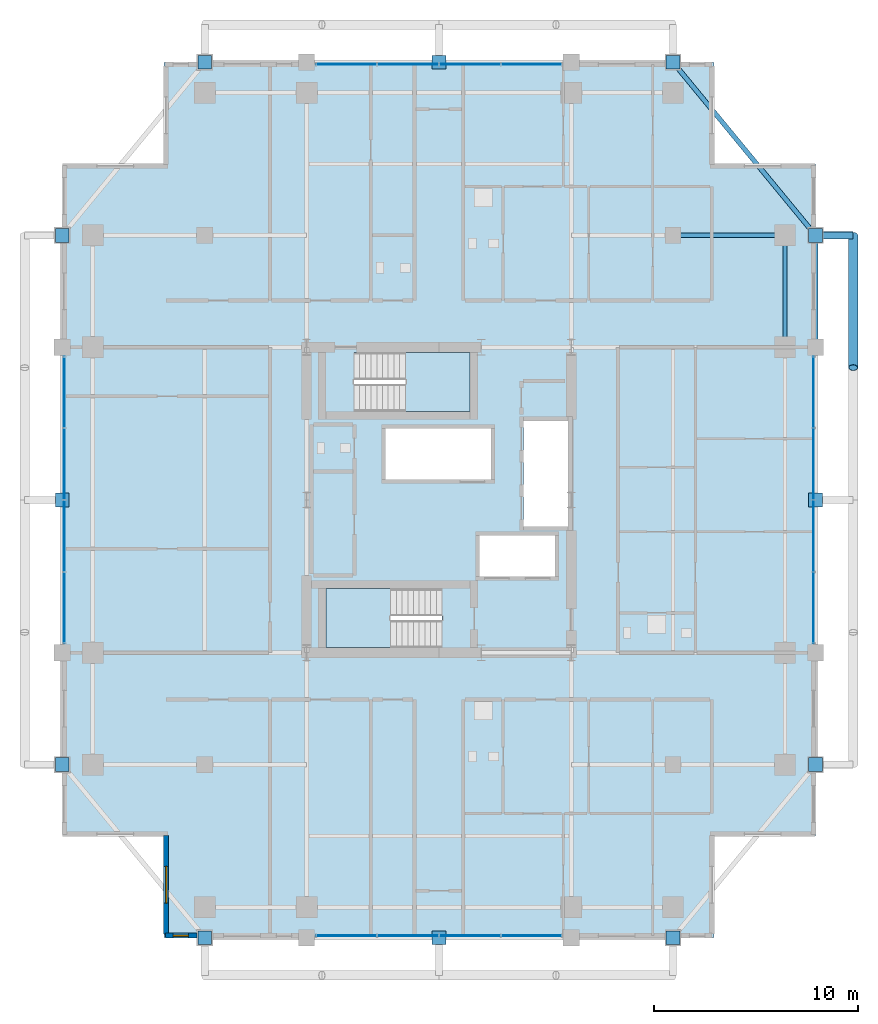
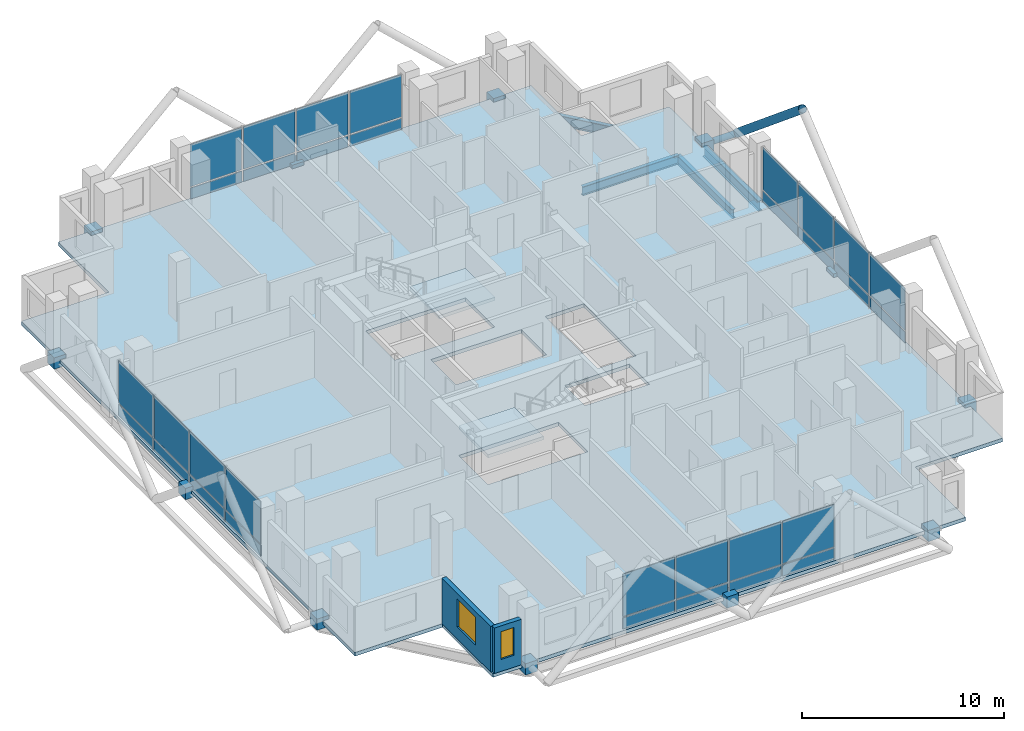
# One storey, part 19 of 26: 44 plates, 4 beams, 3 slabs, 2 members, 2 walls, 2 windows, 2 openings, 6 elements without a shape of their own.
"""IFC4 building model written with IfcOpenShell, lengths in metres."""

from ifc_helpers import new_model, si_unit, direction, frame, frame_2d, origin, origin_2d, place, context, subcontext, project, spatial, polyline, rectangle, hollow_circle, i_section, outline, extrude, material, layer, layer_set, material_profile, profile_set, type_object, element, fill, aggregate, save


model = new_model("IFC4")

# Units and contexts
model_context = context("Model", 3, precision=1e-05, world=origin(), true_north=direction((0.0, 1.0)))
body_context = subcontext(model_context, "Body", "Model", "MODEL_VIEW")
ifc_project = project(units=[si_unit("LENGTHUNIT", "METRE"), si_unit("AREAUNIT", "SQUARE_METRE"), si_unit("VOLUMEUNIT", "CUBIC_METRE"), si_unit("PLANEANGLEUNIT", "RADIAN"), si_unit("MASSUNIT", "GRAM", prefix="KILO")], contexts=[model_context])

# Site, building, storey
site_placement = place(None, origin())
site = spatial("IfcSite", under=ifc_project, at=site_placement, CompositionType="ELEMENT")
building_placement = place(site_placement, origin())
building = spatial("IfcBuilding", under=site, at=building_placement, Name="Barlavira Tower and Art Museum", CompositionType="ELEMENT")
storey_placement = place(building_placement, frame((0.0, 0.0, 176.39990234375)))
storey = spatial("IfcBuildingStorey", under=building, at=storey_placement, Name="L45", CompositionType="ELEMENT", Elevation=176.39990234375)

# Members
ifc_material_1 = material(Name="Steel S355", Category="steel")
ifc_material_profile_1 = material_profile(ifc_material_1, hollow_circle(Radius=0.228515625, WallThickness=0.02001953125, at=origin_2d()), Name="CHS 457.0x20.0")
ifc_profile_set_1 = profile_set([ifc_material_profile_1], Name="Steel S355")
member_type_1 = type_object("IfcMemberType", Name="Pale-Metal Exoskeleton Diagrid Tube CHS 457x20 Steel S355", PredefinedType="BRACE", material=ifc_profile_set_1)
member_1_placement = place(storey_placement, frame((20.35009765625, 13.0, -0.119873046875), z_axis=(0.0, -0.769196053329, 0.639012857104), x_axis=(1.0, 0.0, 0.0)))
element("IfcMember", 1, at=member_1_placement, inside=storey, type_object=member_type_1, Name="L45 Exoskeleton Diagrid Tube E", PredefinedType="BRACE", context=body_context, shape_type="SweptSolid", body=[
    extrude(hollow_circle(Radius=0.228515625, WallThickness=0.02001953125, at=origin_2d()), origin(), (0.0, 0.0, 1.0), 8.450439453125),
])
ifc_material_profile_2 = material_profile(ifc_material_1, hollow_circle(Radius=0.177734375, WallThickness=0.01611328125, at=origin_2d()), Name="CHS 355.6x16.0")
ifc_profile_set_2 = profile_set([ifc_material_profile_2], Name="Steel S355")
member_type_2 = type_object("IfcMemberType", Name="Pale-Metal Exoskeleton Tie Strut CHS 356x16 Steel S355", PredefinedType="STRUT", material=ifc_profile_set_2)
member_2_placement = place(storey_placement, frame((20.35009765625, 13.0, -0.119873046875), z_axis=(-1.0, 0.0, 0.0), x_axis=(0.0, -1.0, 0.0)))
element("IfcMember", 2, at=member_2_placement, inside=storey, type_object=member_type_2, Name="L45 Exoskeleton Tie Strut E3", PredefinedType="STRUT", context=body_context, shape_type="SweptSolid", body=[
    extrude(hollow_circle(Radius=0.177734375, WallThickness=0.01611328125, at=origin_2d()), origin(), (0.0, 0.0, 1.0), 1.85009765625),
])

# Beams
ifc_material_profile_3 = material_profile(ifc_material_1, i_section(OverallWidth=0.22998046875, OverallDepth=0.616943359375, WebThickness=0.01318359375, FlangeThickness=0.022216796875, at=origin_2d()), Name="W610x140.0")
ifc_profile_set_3 = profile_set([ifc_material_profile_3], Name="Steel S355")
beam_type_1 = type_object("IfcBeamType", Name="Upper Shaft Spandrel Edge Beam W610x140 Steel S355", PredefinedType="SPANDREL", material=ifc_profile_set_3)
beam_1_placement = place(storey_placement, frame((18.5, 7.5, -0.5283203125), z_axis=(0.0, 1.0, 0.0), x_axis=(-1.0, 0.0, 0.0)))
element("IfcBeam", 3, at=beam_1_placement, inside=storey, type_object=beam_type_1, Name="L45 Spandrel 7", PredefinedType="SPANDREL", context=body_context, shape_type="SweptSolid", body=[
    extrude(i_section(OverallWidth=0.22998046875, OverallDepth=0.616943359375, WebThickness=0.01318359375, FlangeThickness=0.022216796875, at=origin_2d()), origin(), (0.0, 0.0, 1.0), 5.5),
])
beam_2_placement = place(storey_placement, frame((18.5, 13.0, -0.5283203125), z_axis=(-0.635707252861, 0.771930235617, 0.0), x_axis=(-0.771930235617, -0.635707252861, 0.0)))
element("IfcBeam", 4, at=beam_2_placement, inside=storey, type_object=beam_type_1, Name="L45 Spandrel 8", PredefinedType="SPANDREL", context=body_context, shape_type="SweptSolid", body=[
    extrude(i_section(OverallWidth=0.22998046875, OverallDepth=0.616943359375, WebThickness=0.01318359375, FlangeThickness=0.022216796875, at=origin_2d()), origin(), (0.0, 0.0, 1.0), 11.011474609375),
])
ifc_material_profile_4 = material_profile(ifc_material_1, i_section(OverallWidth=0.2109375, OverallDepth=0.5390625, WebThickness=0.01171875, FlangeThickness=0.018798828125, at=origin_2d()), Name="W530x109.0")
ifc_profile_set_4 = profile_set([ifc_material_profile_4], Name="Steel S355")
beam_type_2 = type_object("IfcBeamType", Name="Zone 3-4 Primary Floor Girder W530x109 Steel S355", PredefinedType="BEAM", material=ifc_profile_set_4)
for number, where, z_axis, x_axis, name in (
    (5, (17.0, 7.5, -0.489501953125), (0.0, 1.0, 0.0), (-1.0, 0.0, 0.0), "L45 Girder M-E3"),
    (6, (11.5, 13.0, -0.489501953125), (1.0, 0.0, 0.0), (0.0, 1.0, 0.0), "L45 Girder I-N4"),
):
    element("IfcBeam", number, at=place(storey_placement, frame(where, z_axis=z_axis, x_axis=x_axis)), inside=storey, type_object=beam_type_2, Name=name, PredefinedType="BEAM", context=body_context, shape_type="SweptSolid", body=[
        extrude(i_section(OverallWidth=0.2109375, OverallDepth=0.5390625, WebThickness=0.01171875, FlangeThickness=0.018798828125, at=origin_2d()), origin(), (0.0, 0.0, 1.0), 5.5),
    ])

# Curtain wall, plates
ifc_material_2 = material(Name="Low-iron coastal laminated glass", Category="glass")
ifc_layer_1 = layer(ifc_material_2, 0.199951171875, Name="Low-iron coastal laminated glass")
ifc_layer_set_1 = layer_set([ifc_layer_1], Name="Low-iron coastal laminated glass")
curtain_wall_type = type_object("IfcCurtainWallType", Name="Pale-Metal Unitised Curtain Wall Zone 3", PredefinedType="NOTDEFINED", material=ifc_layer_set_1)
curtain_wall_1_placement = place(storey_placement, origin())
curtain_wall_1 = element("IfcCurtainWall", 7, at=curtain_wall_1_placement, inside=storey, type_object=curtain_wall_type, Name="L45 Curtain Wall CW3-L45-S-B3", PredefinedType="NOTDEFINED")
ifc_material_3 = material(Name="Pale anodised aluminium", Category="aluminium")
ifc_layer_2 = layer(ifc_material_3, 0.044921875, Name="Pale anodised aluminium")
ifc_layer_set_2 = layer_set([ifc_layer_2], Name="Pale anodised aluminium")
plate_type_1 = type_object("IfcPlateType", Name="Curtain Wall Pale-Metal Spandrel Panel 45", PredefinedType="CURTAIN_PANEL", material=ifc_layer_set_2)
plate_1_placement = place(storey_placement, frame((-4.56005859375, -21.39990234375, 0.0400390625), z_axis=(0.0, 0.0, 1.0), x_axis=(1.0, 0.0, 0.0)))
plate_1 = element("IfcPlate", 8, at=plate_1_placement, type_object=plate_type_1, Name="CW3-L45-S-B3 Spandrel Panel 0", PredefinedType="CURTAIN_PANEL", context=body_context, shape_type="SweptSolid", body=[
    extrude(rectangle(XDim=2.93994140625, YDim=0.044921875, at=origin_2d()), origin(), (0.0, 0.0, 1.0), 0.6640625),
])
plate_2_placement = place(storey_placement, frame((-1.52001953125, -21.39990234375, 0.0400390625), z_axis=(0.0, 0.0, 1.0), x_axis=(1.0, 0.0, 0.0)))
plate_2 = element("IfcPlate", 9, at=plate_2_placement, type_object=plate_type_1, Name="CW3-L45-S-B3 Spandrel Panel 1", PredefinedType="CURTAIN_PANEL", context=body_context, shape_type="SweptSolid", body=[
    extrude(rectangle(XDim=2.93994140625, YDim=0.044921875, at=origin_2d()), origin(), (0.0, 0.0, 1.0), 0.6640625),
])
plate_3_placement = place(storey_placement, frame((1.52001953125, -21.39990234375, 0.0400390625), z_axis=(0.0, 0.0, 1.0), x_axis=(1.0, 0.0, 0.0)))
plate_3 = element("IfcPlate", 10, at=plate_3_placement, type_object=plate_type_1, Name="CW3-L45-S-B3 Spandrel Panel 2", PredefinedType="CURTAIN_PANEL", context=body_context, shape_type="SweptSolid", body=[
    extrude(rectangle(XDim=2.93994140625, YDim=0.044921875, at=origin_2d()), origin(), (0.0, 0.0, 1.0), 0.6640625),
])
plate_4_placement = place(storey_placement, frame((4.56005859375, -21.39990234375, 0.0400390625), z_axis=(0.0, 0.0, 1.0), x_axis=(1.0, 0.0, 0.0)))
plate_4 = element("IfcPlate", 11, at=plate_4_placement, type_object=plate_type_1, Name="CW3-L45-S-B3 Spandrel Panel 3", PredefinedType="CURTAIN_PANEL", context=body_context, shape_type="SweptSolid", body=[
    extrude(rectangle(XDim=2.93994140625, YDim=0.044921875, at=origin_2d()), origin(), (0.0, 0.0, 1.0), 0.6640625),
])

curtain_wall_2_placement = place(storey_placement, origin())
curtain_wall_2 = element("IfcCurtainWall", 12, at=curtain_wall_2_placement, inside=storey, type_object=curtain_wall_type, Name="L45 Curtain Wall CW3-L45-N-B3", PredefinedType="NOTDEFINED")
plate_5_placement = place(storey_placement, frame((4.56005859375, 21.39990234375, 0.0400390625), z_axis=(0.0, 0.0, 1.0), x_axis=(-1.0, 0.0, 0.0)))
plate_5 = element("IfcPlate", 13, at=plate_5_placement, type_object=plate_type_1, Name="CW3-L45-N-B3 Spandrel Panel 0", PredefinedType="CURTAIN_PANEL", context=body_context, shape_type="SweptSolid", body=[
    extrude(rectangle(XDim=2.93994140625, YDim=0.044921875, at=origin_2d()), origin(), (0.0, 0.0, 1.0), 0.6640625),
])
plate_6_placement = place(storey_placement, frame((1.52001953125, 21.39990234375, 0.0400390625), z_axis=(0.0, 0.0, 1.0), x_axis=(-1.0, 0.0, 0.0)))
plate_6 = element("IfcPlate", 14, at=plate_6_placement, type_object=plate_type_1, Name="CW3-L45-N-B3 Spandrel Panel 1", PredefinedType="CURTAIN_PANEL", context=body_context, shape_type="SweptSolid", body=[
    extrude(rectangle(XDim=2.93994140625, YDim=0.044921875, at=origin_2d()), origin(), (0.0, 0.0, 1.0), 0.6640625),
])
plate_7_placement = place(storey_placement, frame((-1.52001953125, 21.39990234375, 0.0400390625), z_axis=(0.0, 0.0, 1.0), x_axis=(-1.0, 0.0, 0.0)))
plate_7 = element("IfcPlate", 15, at=plate_7_placement, type_object=plate_type_1, Name="CW3-L45-N-B3 Spandrel Panel 2", PredefinedType="CURTAIN_PANEL", context=body_context, shape_type="SweptSolid", body=[
    extrude(rectangle(XDim=2.93994140625, YDim=0.044921875, at=origin_2d()), origin(), (0.0, 0.0, 1.0), 0.6640625),
])
plate_8_placement = place(storey_placement, frame((-4.56005859375, 21.39990234375, 0.0400390625), z_axis=(0.0, 0.0, 1.0), x_axis=(-1.0, 0.0, 0.0)))
plate_8 = element("IfcPlate", 16, at=plate_8_placement, type_object=plate_type_1, Name="CW3-L45-N-B3 Spandrel Panel 3", PredefinedType="CURTAIN_PANEL", context=body_context, shape_type="SweptSolid", body=[
    extrude(rectangle(XDim=2.93994140625, YDim=0.044921875, at=origin_2d()), origin(), (0.0, 0.0, 1.0), 0.6640625),
])

curtain_wall_3_placement = place(storey_placement, origin())
curtain_wall_3 = element("IfcCurtainWall", 17, at=curtain_wall_3_placement, inside=storey, type_object=curtain_wall_type, Name="L45 Curtain Wall CW3-L45-W-B3", PredefinedType="NOTDEFINED")
plate_9_placement = place(storey_placement, frame((-18.39990234375, 5.31005859375, 0.0400390625), z_axis=(0.0, 0.0, 1.0), x_axis=(0.0, -1.0, 0.0)))
plate_9 = element("IfcPlate", 18, at=plate_9_placement, type_object=plate_type_1, Name="CW3-L45-W-B3 Spandrel Panel 0", PredefinedType="CURTAIN_PANEL", context=body_context, shape_type="SweptSolid", body=[
    extrude(rectangle(XDim=3.43994140625, YDim=0.044921875, at=origin_2d()), origin(), (0.0, 0.0, 1.0), 0.6640625),
])
plate_10_placement = place(storey_placement, frame((-18.39990234375, 1.77001953125, 0.0400390625), z_axis=(0.0, 0.0, 1.0), x_axis=(0.0, -1.0, 0.0)))
plate_10 = element("IfcPlate", 19, at=plate_10_placement, type_object=plate_type_1, Name="CW3-L45-W-B3 Spandrel Panel 1", PredefinedType="CURTAIN_PANEL", context=body_context, shape_type="SweptSolid", body=[
    extrude(rectangle(XDim=3.43994140625, YDim=0.044921875, at=origin_2d()), origin(), (0.0, 0.0, 1.0), 0.6640625),
])
plate_11_placement = place(storey_placement, frame((-18.39990234375, -1.77001953125, 0.0400390625), z_axis=(0.0, 0.0, 1.0), x_axis=(0.0, -1.0, 0.0)))
plate_11 = element("IfcPlate", 20, at=plate_11_placement, type_object=plate_type_1, Name="CW3-L45-W-B3 Spandrel Panel 2", PredefinedType="CURTAIN_PANEL", context=body_context, shape_type="SweptSolid", body=[
    extrude(rectangle(XDim=3.43994140625, YDim=0.044921875, at=origin_2d()), origin(), (0.0, 0.0, 1.0), 0.6640625),
])
plate_12_placement = place(storey_placement, frame((-18.39990234375, -5.31005859375, 0.0400390625), z_axis=(0.0, 0.0, 1.0), x_axis=(0.0, -1.0, 0.0)))
plate_12 = element("IfcPlate", 21, at=plate_12_placement, type_object=plate_type_1, Name="CW3-L45-W-B3 Spandrel Panel 3", PredefinedType="CURTAIN_PANEL", context=body_context, shape_type="SweptSolid", body=[
    extrude(rectangle(XDim=3.43994140625, YDim=0.044921875, at=origin_2d()), origin(), (0.0, 0.0, 1.0), 0.6640625),
])

curtain_wall_4_placement = place(storey_placement, origin())
curtain_wall_4 = element("IfcCurtainWall", 22, at=curtain_wall_4_placement, inside=storey, type_object=curtain_wall_type, Name="L45 Curtain Wall CW3-L45-E-B3", PredefinedType="NOTDEFINED")
plate_13_placement = place(storey_placement, frame((18.39990234375, -5.31005859375, 0.0400390625), z_axis=(0.0, 0.0, 1.0), x_axis=(0.0, 1.0, 0.0)))
plate_13 = element("IfcPlate", 23, at=plate_13_placement, type_object=plate_type_1, Name="CW3-L45-E-B3 Spandrel Panel 0", PredefinedType="CURTAIN_PANEL", context=body_context, shape_type="SweptSolid", body=[
    extrude(rectangle(XDim=3.43994140625, YDim=0.044921875, at=origin_2d()), origin(), (0.0, 0.0, 1.0), 0.6640625),
])
plate_14_placement = place(storey_placement, frame((18.39990234375, -1.77001953125, 0.0400390625), z_axis=(0.0, 0.0, 1.0), x_axis=(0.0, 1.0, 0.0)))
plate_14 = element("IfcPlate", 24, at=plate_14_placement, type_object=plate_type_1, Name="CW3-L45-E-B3 Spandrel Panel 1", PredefinedType="CURTAIN_PANEL", context=body_context, shape_type="SweptSolid", body=[
    extrude(rectangle(XDim=3.43994140625, YDim=0.044921875, at=origin_2d()), origin(), (0.0, 0.0, 1.0), 0.6640625),
])
plate_15_placement = place(storey_placement, frame((18.39990234375, 1.77001953125, 0.0400390625), z_axis=(0.0, 0.0, 1.0), x_axis=(0.0, 1.0, 0.0)))
plate_15 = element("IfcPlate", 25, at=plate_15_placement, type_object=plate_type_1, Name="CW3-L45-E-B3 Spandrel Panel 2", PredefinedType="CURTAIN_PANEL", context=body_context, shape_type="SweptSolid", body=[
    extrude(rectangle(XDim=3.43994140625, YDim=0.044921875, at=origin_2d()), origin(), (0.0, 0.0, 1.0), 0.6640625),
])
plate_16_placement = place(storey_placement, frame((18.39990234375, 5.31005859375, 0.0400390625), z_axis=(0.0, 0.0, 1.0), x_axis=(0.0, 1.0, 0.0)))
plate_16 = element("IfcPlate", 26, at=plate_16_placement, type_object=plate_type_1, Name="CW3-L45-E-B3 Spandrel Panel 3", PredefinedType="CURTAIN_PANEL", context=body_context, shape_type="SweptSolid", body=[
    extrude(rectangle(XDim=3.43994140625, YDim=0.044921875, at=origin_2d()), origin(), (0.0, 0.0, 1.0), 0.6640625),
])

# Plate
ifc_layer_3 = layer(ifc_material_2, 0.028076171875, Name="Low-iron coastal laminated glass")
ifc_layer_set_3 = layer_set([ifc_layer_3], Name="Low-iron coastal laminated glass")
plate_type_2 = type_object("IfcPlateType", Name="Curtain Wall Vision Glazing Panel 28", PredefinedType="CURTAIN_PANEL", material=ifc_layer_set_3)
plate_17_placement = place(storey_placement, frame((-4.56005859375, -21.39990234375, 0.7841796875), z_axis=(0.0, 0.0, 1.0), x_axis=(1.0, 0.0, 0.0)))
plate_17 = element("IfcPlate", 27, at=plate_17_placement, type_object=plate_type_2, Name="CW3-L45-S-B3 Vision Glass Panel 0", PredefinedType="CURTAIN_PANEL", context=body_context, shape_type="SweptSolid", body=[
    extrude(rectangle(XDim=2.93994140625, YDim=0.028076171875, at=origin_2d()), origin(), (0.0, 0.0, 1.0), 2.555908203125),
])

plate_18_placement = place(storey_placement, frame((-1.52001953125, -21.39990234375, 0.7841796875), z_axis=(0.0, 0.0, 1.0), x_axis=(1.0, 0.0, 0.0)))
plate_18 = element("IfcPlate", 28, at=plate_18_placement, type_object=plate_type_2, Name="CW3-L45-S-B3 Vision Glass Panel 1", PredefinedType="CURTAIN_PANEL", context=body_context, shape_type="SweptSolid", body=[
    extrude(rectangle(XDim=2.93994140625, YDim=0.028076171875, at=origin_2d()), origin(), (0.0, 0.0, 1.0), 2.555908203125),
])

plate_19_placement = place(storey_placement, frame((1.52001953125, -21.39990234375, 0.7841796875), z_axis=(0.0, 0.0, 1.0), x_axis=(1.0, 0.0, 0.0)))
plate_19 = element("IfcPlate", 29, at=plate_19_placement, type_object=plate_type_2, Name="CW3-L45-S-B3 Vision Glass Panel 2", PredefinedType="CURTAIN_PANEL", context=body_context, shape_type="SweptSolid", body=[
    extrude(rectangle(XDim=2.93994140625, YDim=0.028076171875, at=origin_2d()), origin(), (0.0, 0.0, 1.0), 2.555908203125),
])

plate_20_placement = place(storey_placement, frame((4.56005859375, -21.39990234375, 0.7841796875), z_axis=(0.0, 0.0, 1.0), x_axis=(1.0, 0.0, 0.0)))
plate_20 = element("IfcPlate", 30, at=plate_20_placement, type_object=plate_type_2, Name="CW3-L45-S-B3 Vision Glass Panel 3", PredefinedType="CURTAIN_PANEL", context=body_context, shape_type="SweptSolid", body=[
    extrude(rectangle(XDim=2.93994140625, YDim=0.028076171875, at=origin_2d()), origin(), (0.0, 0.0, 1.0), 2.555908203125),
])

aggregate(curtain_wall_1, [plate_1, plate_17, plate_2, plate_18, plate_3, plate_19, plate_4, plate_20])

plate_21_placement = place(storey_placement, frame((4.56005859375, 21.39990234375, 0.7841796875), z_axis=(0.0, 0.0, 1.0), x_axis=(-1.0, 0.0, 0.0)))
plate_21 = element("IfcPlate", 31, at=plate_21_placement, type_object=plate_type_2, Name="CW3-L45-N-B3 Vision Glass Panel 0", PredefinedType="CURTAIN_PANEL", context=body_context, shape_type="SweptSolid", body=[
    extrude(rectangle(XDim=2.93994140625, YDim=0.028076171875, at=origin_2d()), origin(), (0.0, 0.0, 1.0), 2.555908203125),
])

plate_22_placement = place(storey_placement, frame((1.52001953125, 21.39990234375, 0.7841796875), z_axis=(0.0, 0.0, 1.0), x_axis=(-1.0, 0.0, 0.0)))
plate_22 = element("IfcPlate", 32, at=plate_22_placement, type_object=plate_type_2, Name="CW3-L45-N-B3 Vision Glass Panel 1", PredefinedType="CURTAIN_PANEL", context=body_context, shape_type="SweptSolid", body=[
    extrude(rectangle(XDim=2.93994140625, YDim=0.028076171875, at=origin_2d()), origin(), (0.0, 0.0, 1.0), 2.555908203125),
])

plate_23_placement = place(storey_placement, frame((-1.52001953125, 21.39990234375, 0.7841796875), z_axis=(0.0, 0.0, 1.0), x_axis=(-1.0, 0.0, 0.0)))
plate_23 = element("IfcPlate", 33, at=plate_23_placement, type_object=plate_type_2, Name="CW3-L45-N-B3 Vision Glass Panel 2", PredefinedType="CURTAIN_PANEL", context=body_context, shape_type="SweptSolid", body=[
    extrude(rectangle(XDim=2.93994140625, YDim=0.028076171875, at=origin_2d()), origin(), (0.0, 0.0, 1.0), 2.555908203125),
])

plate_24_placement = place(storey_placement, frame((-4.56005859375, 21.39990234375, 0.7841796875), z_axis=(0.0, 0.0, 1.0), x_axis=(-1.0, 0.0, 0.0)))
plate_24 = element("IfcPlate", 34, at=plate_24_placement, type_object=plate_type_2, Name="CW3-L45-N-B3 Vision Glass Panel 3", PredefinedType="CURTAIN_PANEL", context=body_context, shape_type="SweptSolid", body=[
    extrude(rectangle(XDim=2.93994140625, YDim=0.028076171875, at=origin_2d()), origin(), (0.0, 0.0, 1.0), 2.555908203125),
])

aggregate(curtain_wall_2, [plate_5, plate_21, plate_6, plate_22, plate_7, plate_23, plate_8, plate_24])

plate_25_placement = place(storey_placement, frame((-18.39990234375, 5.31005859375, 0.7841796875), z_axis=(0.0, 0.0, 1.0), x_axis=(0.0, -1.0, 0.0)))
plate_25 = element("IfcPlate", 35, at=plate_25_placement, type_object=plate_type_2, Name="CW3-L45-W-B3 Vision Glass Panel 0", PredefinedType="CURTAIN_PANEL", context=body_context, shape_type="SweptSolid", body=[
    extrude(rectangle(XDim=3.43994140625, YDim=0.028076171875, at=origin_2d()), origin(), (0.0, 0.0, 1.0), 2.555908203125),
])

plate_26_placement = place(storey_placement, frame((-18.39990234375, 1.77001953125, 0.7841796875), z_axis=(0.0, 0.0, 1.0), x_axis=(0.0, -1.0, 0.0)))
plate_26 = element("IfcPlate", 36, at=plate_26_placement, type_object=plate_type_2, Name="CW3-L45-W-B3 Vision Glass Panel 1", PredefinedType="CURTAIN_PANEL", context=body_context, shape_type="SweptSolid", body=[
    extrude(rectangle(XDim=3.43994140625, YDim=0.028076171875, at=origin_2d()), origin(), (0.0, 0.0, 1.0), 2.555908203125),
])

plate_27_placement = place(storey_placement, frame((-18.39990234375, -1.77001953125, 0.7841796875), z_axis=(0.0, 0.0, 1.0), x_axis=(0.0, -1.0, 0.0)))
plate_27 = element("IfcPlate", 37, at=plate_27_placement, type_object=plate_type_2, Name="CW3-L45-W-B3 Vision Glass Panel 2", PredefinedType="CURTAIN_PANEL", context=body_context, shape_type="SweptSolid", body=[
    extrude(rectangle(XDim=3.43994140625, YDim=0.028076171875, at=origin_2d()), origin(), (0.0, 0.0, 1.0), 2.555908203125),
])

plate_28_placement = place(storey_placement, frame((-18.39990234375, -5.31005859375, 0.7841796875), z_axis=(0.0, 0.0, 1.0), x_axis=(0.0, -1.0, 0.0)))
plate_28 = element("IfcPlate", 38, at=plate_28_placement, type_object=plate_type_2, Name="CW3-L45-W-B3 Vision Glass Panel 3", PredefinedType="CURTAIN_PANEL", context=body_context, shape_type="SweptSolid", body=[
    extrude(rectangle(XDim=3.43994140625, YDim=0.028076171875, at=origin_2d()), origin(), (0.0, 0.0, 1.0), 2.555908203125),
])

aggregate(curtain_wall_3, [plate_9, plate_25, plate_10, plate_26, plate_11, plate_27, plate_12, plate_28])

plate_29_placement = place(storey_placement, frame((18.39990234375, -5.31005859375, 0.7841796875), z_axis=(0.0, 0.0, 1.0), x_axis=(0.0, 1.0, 0.0)))
plate_29 = element("IfcPlate", 39, at=plate_29_placement, type_object=plate_type_2, Name="CW3-L45-E-B3 Vision Glass Panel 0", PredefinedType="CURTAIN_PANEL", context=body_context, shape_type="SweptSolid", body=[
    extrude(rectangle(XDim=3.43994140625, YDim=0.028076171875, at=origin_2d()), origin(), (0.0, 0.0, 1.0), 2.555908203125),
])

plate_30_placement = place(storey_placement, frame((18.39990234375, -1.77001953125, 0.7841796875), z_axis=(0.0, 0.0, 1.0), x_axis=(0.0, 1.0, 0.0)))
plate_30 = element("IfcPlate", 40, at=plate_30_placement, type_object=plate_type_2, Name="CW3-L45-E-B3 Vision Glass Panel 1", PredefinedType="CURTAIN_PANEL", context=body_context, shape_type="SweptSolid", body=[
    extrude(rectangle(XDim=3.43994140625, YDim=0.028076171875, at=origin_2d()), origin(), (0.0, 0.0, 1.0), 2.555908203125),
])

plate_31_placement = place(storey_placement, frame((18.39990234375, 1.77001953125, 0.7841796875), z_axis=(0.0, 0.0, 1.0), x_axis=(0.0, 1.0, 0.0)))
plate_31 = element("IfcPlate", 41, at=plate_31_placement, type_object=plate_type_2, Name="CW3-L45-E-B3 Vision Glass Panel 2", PredefinedType="CURTAIN_PANEL", context=body_context, shape_type="SweptSolid", body=[
    extrude(rectangle(XDim=3.43994140625, YDim=0.028076171875, at=origin_2d()), origin(), (0.0, 0.0, 1.0), 2.555908203125),
])

plate_32_placement = place(storey_placement, frame((18.39990234375, 5.31005859375, 0.7841796875), z_axis=(0.0, 0.0, 1.0), x_axis=(0.0, 1.0, 0.0)))
plate_32 = element("IfcPlate", 42, at=plate_32_placement, type_object=plate_type_2, Name="CW3-L45-E-B3 Vision Glass Panel 3", PredefinedType="CURTAIN_PANEL", context=body_context, shape_type="SweptSolid", body=[
    extrude(rectangle(XDim=3.43994140625, YDim=0.028076171875, at=origin_2d()), origin(), (0.0, 0.0, 1.0), 2.555908203125),
])

aggregate(curtain_wall_4, [plate_13, plate_29, plate_14, plate_30, plate_15, plate_31, plate_16, plate_32])

# Plates
ifc_layer_4 = layer(ifc_material_1, 0.679931640625, Name="Steel S355")
ifc_layer_set_4 = layer_set([ifc_layer_4], Name="Steel S355")
plate_type_3 = type_object("IfcPlateType", Name="Exoskeleton Tie-Back Solid Cap Plate Assembly Type 5 Steel S355", PredefinedType="USERDEFINED", material=ifc_layer_set_4)
for number, where, z_axis, x_axis, name in (
    (43, (-11.5, -21.5, -0.4599609375), (0.0, 0.0, 1.0), (1.0, 0.0, 0.0), "Slab Edge Tie Cap Plate S1 ND-L45-0490"),
    (44, (0.0, -21.5, -0.4599609375), (0.0, 0.0, 1.0), (1.0, 0.0, 0.0), "Slab Edge Tie Cap Plate S2 ND-L45-0491"),
    (45, (11.5, -21.5, -0.4599609375), (0.0, 0.0, 1.0), (1.0, 0.0, 0.0), "Slab Edge Tie Cap Plate S3 ND-L45-0492"),
    (46, (-11.5, 21.5, -0.4599609375), (0.0, 0.0, 1.0), (1.0, 0.0, 0.0), "Slab Edge Tie Cap Plate N1 ND-L45-0498"),
    (47, (0.0, 21.5, -0.4599609375), (0.0, 0.0, 1.0), (1.0, 0.0, 0.0), "Slab Edge Tie Cap Plate N2 ND-L45-0499"),
    (48, (11.5, 21.5, -0.4599609375), (0.0, 0.0, 1.0), (1.0, 0.0, 0.0), "Slab Edge Tie Cap Plate N3 ND-L45-0500"),
    (49, (-18.5, -13.0, -0.4599609375), (0.0, 0.0, 1.0), (1.0, 0.0, 0.0), "Slab Edge Tie Cap Plate W1 ND-L45-0506"),
    (50, (-18.5, 0.0, -0.4599609375), (0.0, 0.0, 1.0), (1.0, 0.0, 0.0), "Slab Edge Tie Cap Plate W2 ND-L45-0507"),
    (51, (-18.5, 13.0, -0.4599609375), (0.0, 0.0, 1.0), (1.0, 0.0, 0.0), "Slab Edge Tie Cap Plate W3 ND-L45-0508"),
    (52, (18.5, -13.0, -0.4599609375), (0.0, 0.0, 1.0), (1.0, 0.0, 0.0), "Slab Edge Tie Cap Plate E1 ND-L45-0514"),
    (53, (18.5, 0.0, -0.4599609375), (0.0, 0.0, 1.0), (1.0, 0.0, 0.0), "Slab Edge Tie Cap Plate E2 ND-L45-0515"),
    (54, (18.5, 13.0, -0.4599609375), (0.0, 0.0, 1.0), (1.0, 0.0, 0.0), "Slab Edge Tie Cap Plate E3 ND-L45-0516"),
):
    element("IfcPlate", number, at=place(storey_placement, frame(where, z_axis=z_axis, x_axis=x_axis)), inside=storey, type_object=plate_type_3, Name=name, ObjectType="FLANGE_PLATE", PredefinedType="USERDEFINED", context=body_context, shape_type="SweptSolid", body=[
        extrude(rectangle(XDim=0.679931640625, YDim=0.679931640625, at=origin_2d()), origin(), (0.0, 0.0, 1.0), 0.679931640625),
    ])

# Stair, slab
ifc_material_4 = material(Name="Concrete C45", Category="concrete")
stair_type_1 = type_object("IfcStairType", Name="Tower North Dog-Leg Exit Stair Assembly Concrete C45", PredefinedType="TWO_QUARTER_TURN_STAIR", material=ifc_material_4)
stair_1_placement = place(storey_placement, origin())
stair_1 = element("IfcStair", 55, at=stair_1_placement, inside=storey, type_object=stair_type_1, Name="L45 Tower North Exit Stair ST-T2", PredefinedType="TWO_QUARTER_TURN_STAIR")
ifc_layer_5 = layer(ifc_material_4, 0.199951171875, Name="Concrete C45")
ifc_layer_set_5 = layer_set([ifc_layer_5], Name="Concrete C45")
slab_type_1 = type_object("IfcSlabType", Name="Tower North Dog-Leg Exit Stair Half-Landing Slab 200 Concrete C45", PredefinedType="LANDING", material=ifc_layer_set_5)
slab_1_placement = place(storey_placement, frame((0.0, 0.0, 1.60009765625)))
slab_1 = element("IfcSlab", 56, at=slab_1_placement, type_object=slab_type_1, Name="ST-T2 landing 1", PredefinedType="LANDING", context=body_context, shape_type="SweptSolid", body=[
    extrude(outline(polyline([(-1.64990234375, 4.35009765625), (1.530029296875, 4.35009765625), (1.530029296875, 7.25), (-1.64990234375, 7.25), (-1.64990234375, 4.35009765625)])), origin(), (0.0, 0.0, 1.0), 0.199951171875),
])
aggregate(stair_1, [slab_1])

stair_type_2 = type_object("IfcStairType", Name="Tower South Dog-Leg Exit Stair Assembly Concrete C45", PredefinedType="TWO_QUARTER_TURN_STAIR", material=ifc_material_4)
stair_2_placement = place(storey_placement, origin())
stair_2 = element("IfcStair", 57, at=stair_2_placement, inside=storey, type_object=stair_type_2, Name="L45 Tower South Exit Stair ST-T1", PredefinedType="TWO_QUARTER_TURN_STAIR")
ifc_layer_6 = layer(ifc_material_4, 0.199951171875, Name="Concrete C45")
ifc_layer_set_6 = layer_set([ifc_layer_6], Name="Concrete C45")
slab_type_2 = type_object("IfcSlabType", Name="Tower South Dog-Leg Exit Stair Half-Landing Slab 200 Concrete C45", PredefinedType="LANDING", material=ifc_layer_set_6)
slab_2_placement = place(storey_placement, frame((0.0, 0.0, 1.60009765625)))
slab_2 = element("IfcSlab", 58, at=slab_2_placement, type_object=slab_type_2, Name="ST-T1 landing 1", PredefinedType="LANDING", context=body_context, shape_type="SweptSolid", body=[
    extrude(outline(polyline([(-2.3701171875, -4.35009765625), (-5.550048828125, -4.35009765625), (-5.550048828125, -7.25), (-2.3701171875, -7.25), (-2.3701171875, -4.35009765625)])), origin(), (0.0, 0.0, 1.0), 0.199951171875),
])
aggregate(stair_2, [slab_2])

# Slab
ifc_material_5 = material(Name="Concrete C50", Category="concrete")
ifc_layer_7 = layer(ifc_material_5, 0.199951171875, Name="Concrete C50")
ifc_layer_set_7 = layer_set([ifc_layer_7], Name="Concrete C50")
slab_type_3 = type_object("IfcSlabType", Name="Zone 3 Residential Composite Slab 200 Concrete C50", PredefinedType="FLOOR", material=ifc_layer_set_7)
slab_3_placement = place(storey_placement, frame((0.0, 0.0, -0.219970703125)))
element("IfcSlab", 59, at=slab_3_placement, inside=storey, type_object=slab_type_3, Name="L45 Tower Floor Slab", PredefinedType="FLOOR", context=body_context, shape_type="SweptSolid", body=[
    extrude(outline(polyline([(-13.5, -21.5), (13.5, -21.5), (13.5, -16.5), (18.5, -16.5), (18.5, 16.5), (13.5, 16.5), (13.5, 21.5), (-13.5, 21.5), (-13.5, 16.5), (-18.5, 16.5), (-18.5, -16.5), (-13.5, -16.5), (-13.5, -21.5)]), holes=[polyline([(0.14990234375, -4.35009765625), (-5.550048828125, -4.35009765625), (-5.550048828125, -7.25), (0.14990234375, -7.25), (0.14990234375, -4.35009765625)]), polyline([(-4.169921875, 4.35009765625), (1.530029296875, 4.35009765625), (1.530029296875, 7.25), (-4.169921875, 7.25), (-4.169921875, 4.35009765625)]), polyline([(4.14990234375, -1.2900390625), (6.35009765625, -1.2900390625), (6.35009765625, 3.889892578125), (4.14990234375, 3.889892578125), (4.14990234375, -1.2900390625)]), polyline([(-2.6201171875, 1.0), (2.56005859375, 1.0), (2.56005859375, 3.5), (-2.6201171875, 3.5), (-2.6201171875, 1.0)]), polyline([(2.0, -3.75), (5.699951171875, -3.75), (5.699951171875, -1.75), (2.0, -1.75), (2.0, -3.75)])]), origin(), (0.0, 0.0, 1.0), 0.219970703125),
])

# Wall, opening, window
ifc_material_6 = material(Name="Precast concrete C40", Category="concrete")
ifc_layer_8 = layer(ifc_material_6, 0.25, Name="Precast concrete C40")
ifc_layer_set_8 = layer_set([ifc_layer_8], Name="Precast concrete C40")
wall_type = type_object("IfcWallType", Name="Notched Corner Spandrel Wall 250 Precast Concrete C40", PredefinedType="SOLIDWALL", material=ifc_layer_set_8)
wall_1_placement = place(storey_placement, frame((-13.425048828125, -21.39990234375, 0.0), z_axis=(0.0, 0.0, 1.0), x_axis=(1.0, 0.0, 0.0)))
wall_1 = element("IfcWall", 60, at=wall_1_placement, inside=storey, type_object=wall_type, Name="L45 Coastal Facade Pier Wall CW3-L45-S-1", PredefinedType="SOLIDWALL", context=body_context, shape_type="SweptSolid", body=[
    extrude(rectangle(XDim=1.530029296875, YDim=0.25, at=frame_2d((0.76513671875, 0.0))), origin(), (0.0, 0.0, 1.0), 2.748046875),
])
opening_1_placement = place(wall_1_placement, frame((0.363037109375, 0.0, 0.719970703125)))
opening_1 = element("IfcOpeningElement", 61, at=opening_1_placement, cuts=wall_1, Name="Opening WN-06", PredefinedType="OPENING", context=body_context, shape_type="SweptSolid", body=[
    extrude(rectangle(XDim=0.760009765625, YDim=1.679931640625, at=frame_2d((0.3798828125, 0.83984375))), frame((0.0, 0.135009765625, 0.0), z_axis=(0.0, -1.0, 0.0), x_axis=(1.0, 0.0, 0.0)), (0.0, 0.0, 1.0), 0.27001953125),
])
window_type_1 = type_object("IfcWindowType", Name="Recessed Narrow Pier Window 760x1680", PartitioningType="SINGLE_PANEL", PredefinedType="WINDOW", material=ifc_material_2)
window_1_placement = place(opening_1_placement, origin())
window_1 = element("IfcWindow", 62, at=window_1_placement, inside=storey, type_object=window_type_1, Name="L45 Punched Facade Window EWP-CW3-L45-S-1-1", OverallHeight=1.679931640625, OverallWidth=0.760009765625, PartitioningType="SINGLE_PANEL", PredefinedType="WINDOW", context=body_context, shape_type="SweptSolid", body=[
    extrude(rectangle(XDim=0.760009765625, YDim=1.679931640625, at=frame_2d((0.3798828125, 0.83984375))), frame((0.0, 0.030029296875, 0.0), z_axis=(0.0, -1.0, 0.0), x_axis=(1.0, 0.0, 0.0)), (0.0, 0.0, 1.0), 0.06005859375),
])
fill(opening_1, window_1)

wall_2_placement = place(storey_placement, frame((-13.39990234375, -16.47998046875, 0.0), z_axis=(0.0, 0.0, 1.0), x_axis=(0.0, -1.0, 0.0)))
wall_2 = element("IfcWall", 63, at=wall_2_placement, inside=storey, type_object=wall_type, Name="L45 Notch Corner Wall SW2", PredefinedType="SOLIDWALL", context=body_context, shape_type="SweptSolid", body=[
    extrude(rectangle(XDim=4.840087890625, YDim=0.25, at=frame_2d((2.419921875, 0.0))), origin(), (0.0, 0.0, 1.0), 2.748046875),
])
opening_2_placement = place(wall_2_placement, frame((1.52001953125, 0.0, 0.719970703125)))
opening_2 = element("IfcOpeningElement", 64, at=opening_2_placement, cuts=wall_2, Name="Opening WN-01", PredefinedType="OPENING", context=body_context, shape_type="SweptSolid", body=[
    extrude(rectangle(XDim=1.800048828125, YDim=1.679931640625, at=frame_2d((0.89990234375, 0.83984375))), frame((0.0, 0.135009765625, 0.0), z_axis=(0.0, -1.0, 0.0), x_axis=(1.0, 0.0, 0.0)), (0.0, 0.0, 1.0), 0.27001953125),
])
window_type_2 = type_object("IfcWindowType", Name="Recessed Notch Corner Punch Window 1800x1680", PartitioningType="SINGLE_PANEL", PredefinedType="WINDOW", material=ifc_material_2)
window_2_placement = place(opening_2_placement, origin())
window_2 = element("IfcWindow", 65, at=window_2_placement, inside=storey, type_object=window_type_2, Name="L45 Punched Facade Window EW-NTC-L45-SW2-1", OverallHeight=1.679931640625, OverallWidth=1.800048828125, PartitioningType="SINGLE_PANEL", PredefinedType="WINDOW", context=body_context, shape_type="SweptSolid", body=[
    extrude(rectangle(XDim=1.800048828125, YDim=1.679931640625, at=frame_2d((0.89990234375, 0.83984375))), frame((0.0, 0.030029296875, 0.0), z_axis=(0.0, -1.0, 0.0), x_axis=(1.0, 0.0, 0.0)), (0.0, 0.0, 1.0), 0.06005859375),
])
fill(opening_2, window_2)

save(model, "model.ifc")
